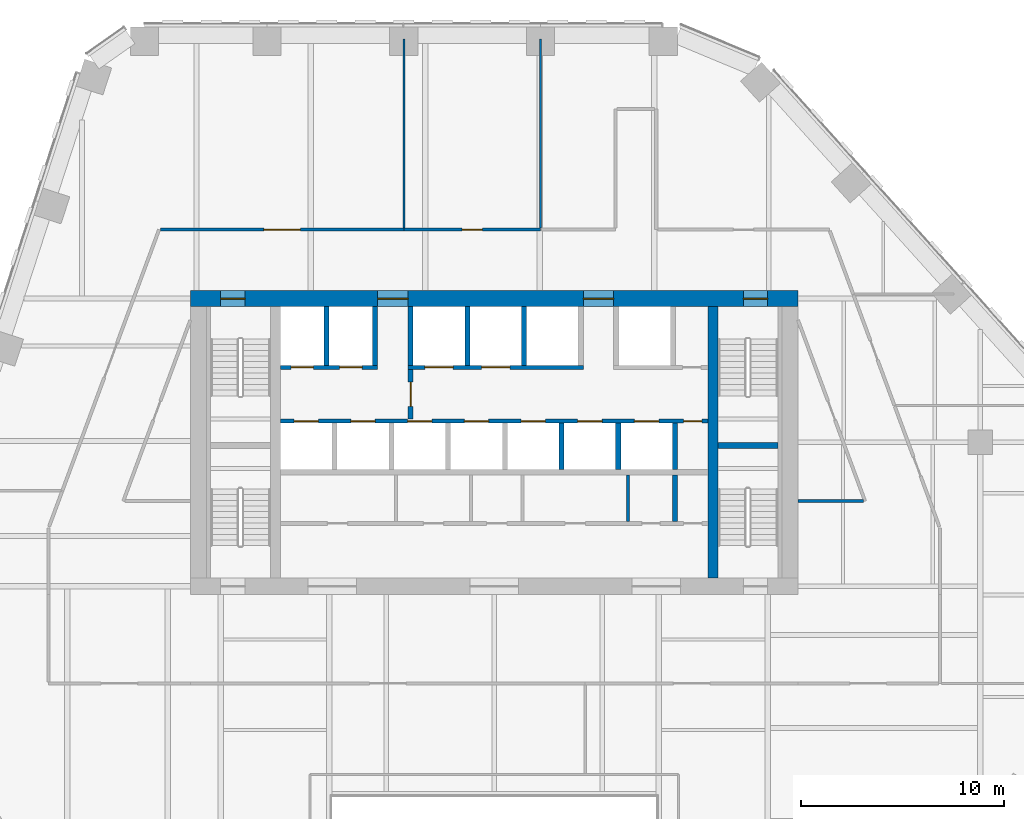
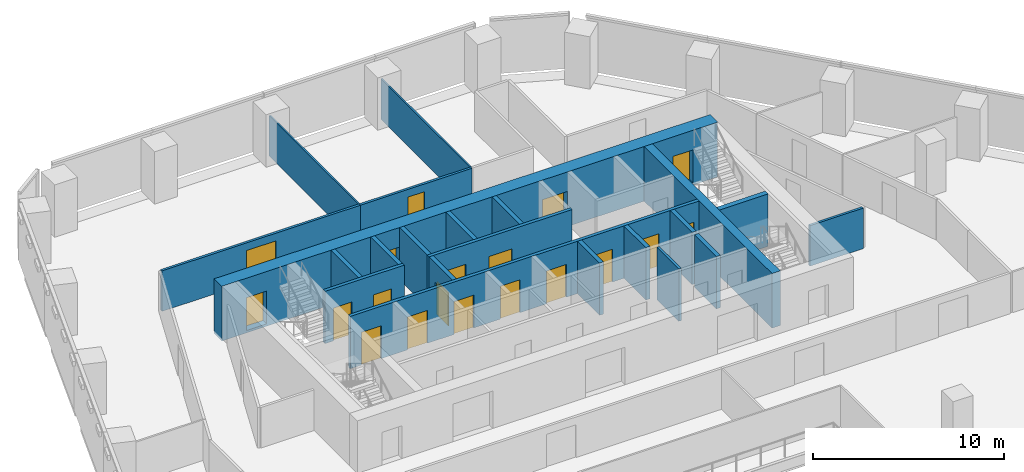
# One storey, part 12 of 17: 22 walls, 19 doors, 19 openings.
"""IFC4 building model written with IfcOpenShell, lengths in metres."""

from ifc_helpers import new_model, si_unit, direction, frame, frame_2d, origin, place, context, subcontext, project, spatial, rectangle, extrude, material, layer, layer_set, type_object, element, fill, save


model = new_model("IFC4")

# Units and contexts
model_context = context("Model", 3, precision=1e-05, world=origin(), true_north=direction((0.0, 1.0)))
body_context = subcontext(model_context, "Body", "Model", "MODEL_VIEW")
ifc_project = project(units=[si_unit("LENGTHUNIT", "METRE"), si_unit("AREAUNIT", "SQUARE_METRE"), si_unit("VOLUMEUNIT", "CUBIC_METRE"), si_unit("PLANEANGLEUNIT", "RADIAN"), si_unit("MASSUNIT", "GRAM", prefix="KILO")], contexts=[model_context])

# Site, building, storey
site_placement = place(None, origin())
site = spatial("IfcSite", under=ifc_project, at=site_placement, CompositionType="ELEMENT")
building_placement = place(site_placement, origin())
building = spatial("IfcBuilding", under=site, at=building_placement, Name="Isthmus Gate Tower", CompositionType="ELEMENT")
storey_placement = place(building_placement, frame((0.0, 0.0, 162.64990234375)))
storey = spatial("IfcBuildingStorey", under=building, at=storey_placement, Name="L40", CompositionType="ELEMENT", Elevation=162.64990234375)

# Wall, opening, door
ifc_material_1 = material(Name="Gypsum board on steel studs, fire-rated", Category="steel")
ifc_layer_1 = layer(ifc_material_1, 0.14990234375)
ifc_layer_set_1 = layer_set([ifc_layer_1], Name="CORRIDOR WALL 150 60 MIN")
wall_type_1 = type_object("IfcWallType", Name="CORRIDOR WALL 150 60 MIN", PredefinedType="PARTITIONING", material=ifc_layer_set_1)
wall_1_placement = place(storey_placement, frame((-4.4619140625, 18.0, 0.0), z_axis=(0.0, 0.0, 1.0), x_axis=(1.0, 0.0, 0.0)))
wall_1 = element("IfcWall", 1, at=wall_1_placement, inside=storey, type_object=wall_type_1, Name="L40 Corridor Wall 150 60 Min", PredefinedType="PARTITIONING", context=body_context, shape_type="SweptSolid", body=[
    extrude(rectangle(XDim=6.75, YDim=0.14990234375, at=frame_2d((3.375, 0.0))), origin(), (0.0, 0.0, 1.0), 2.59130859375),
])
opening_1_placement = place(wall_1_placement, frame((2.875, 0.0, 0.0)))
opening_1 = element("IfcOpeningElement", 2, at=opening_1_placement, cuts=wall_1, Name="Opening DT-T3D-01", PredefinedType="OPENING", context=body_context, shape_type="SweptSolid", body=[
    extrude(rectangle(XDim=1.0, YDim=2.10009765625, at=frame_2d((0.5, 1.050048828125))), frame((0.0, 0.0849609375, 0.0), z_axis=(0.0, -1.0, 0.0), x_axis=(1.0, 0.0, 0.0)), (0.0, 0.0, 1.0), 0.169921875),
])
ifc_material_2 = material(Name="Solid core timber door leaf, fire-rated", Category="wood")
door_type_1 = type_object("IfcDoorType", Name="FIRE DOOR ROOM 1000 X 2100 60 MIN", OperationType="SINGLE_SWING_LEFT", PredefinedType="DOOR", material=ifc_material_2)
door_1_placement = place(opening_1_placement, origin())
door_1 = element("IfcDoor", 3, at=door_1_placement, inside=storey, type_object=door_type_1, Name="L40 room door", OperationType="SINGLE_SWING_RIGHT", OverallHeight=2.10009765625, OverallWidth=1.0, PredefinedType="DOOR", context=body_context, shape_type="SweptSolid", body=[
    extrude(rectangle(XDim=1.0, YDim=2.10009765625, at=frame_2d((0.5, 1.050048828125))), frame((0.0, 0.02490234375, 0.0), z_axis=(0.0, -1.0, 0.0), x_axis=(1.0, 0.0, 0.0)), (0.0, 0.0, 1.0), 0.050048828125),
])
fill(opening_1, door_1)

wall_2_placement = place(storey_placement, frame((-16.468994140625, 18.0, 0.0), z_axis=(0.0, 0.0, 1.0), x_axis=(1.0, 0.0, 0.0)))
wall_2 = element("IfcWall", 4, at=wall_2_placement, inside=storey, type_object=wall_type_1, Name="L40 Corridor Wall 150 60 Min", PredefinedType="PARTITIONING", context=body_context, shape_type="SweptSolid", body=[
    extrude(rectangle(XDim=12.007080078125, YDim=0.14990234375, at=frame_2d((6.00341796875, 0.0))), origin(), (0.0, 0.0, 1.0), 2.59130859375),
])
opening_2_placement = place(wall_2_placement, frame((5.103515625, 0.0, 0.0)))
opening_2 = element("IfcOpeningElement", 5, at=opening_2_placement, cuts=wall_2, Name="Opening DT-T3D-04", PredefinedType="OPENING", context=body_context, shape_type="SweptSolid", body=[
    extrude(rectangle(XDim=1.800048828125, YDim=2.10009765625, at=frame_2d((0.89990234375, 1.050048828125))), frame((0.0, 0.0849609375, 0.0), z_axis=(0.0, -1.0, 0.0), x_axis=(1.0, 0.0, 0.0)), (0.0, 0.0, 1.0), 0.169921875),
])
ifc_material_3 = material(Name="Solid core timber door leaf, fire-rated", Category="wood")
door_type_2 = type_object("IfcDoorType", Name="FIRE DOOR ROOM 1800 X 2100 60 MIN", OperationType="DOUBLE_DOOR_DOUBLE_SWING", PredefinedType="DOOR", material=ifc_material_3)
door_2_placement = place(opening_2_placement, origin())
door_2 = element("IfcDoor", 6, at=door_2_placement, inside=storey, type_object=door_type_2, Name="L40 room door", OperationType="DOUBLE_DOOR_DOUBLE_SWING", OverallHeight=2.10009765625, OverallWidth=1.800048828125, PredefinedType="DOOR", context=body_context, shape_type="SweptSolid", body=[
    extrude(rectangle(XDim=1.800048828125, YDim=2.10009765625, at=frame_2d((0.89990234375, 1.050048828125))), frame((0.0, 0.02490234375, 0.0), z_axis=(0.0, -1.0, 0.0), x_axis=(1.0, 0.0, 0.0)), (0.0, 0.0, 1.0), 0.050048828125),
])
fill(opening_2, door_2)

# Wall
wall_3_placement = place(storey_placement, frame((15.0, 4.60009765625, 0.0), z_axis=(0.0, 0.0, 1.0), x_axis=(1.0, 0.0, 0.0)))
element("IfcWall", 7, at=wall_3_placement, inside=storey, type_object=wall_type_1, Name="L40 Corridor Wall 150 60 Min", PredefinedType="PARTITIONING", context=body_context, shape_type="SweptSolid", body=[
    extrude(rectangle(XDim=3.22802734375, YDim=0.14990234375, at=frame_2d((1.614013671875, 0.0))), origin(), (0.0, 0.0, 1.0), 2.59130859375),
])

# Wall, opening, door
ifc_material_4 = material(Name="Fire-rated blockwork masonry, 15 MPa", Category="masonry")
ifc_layer_2 = layer(ifc_material_4, 0.25)
ifc_layer_set_2 = layer_set([ifc_layer_2], Name="FIRE-FIGHTING LOBBY WALL 250 90 MIN")
wall_type_2 = type_object("IfcWallType", Name="FIRE-FIGHTING LOBBY WALL 250 90 MIN", PredefinedType="PARTITIONING", material=ifc_layer_set_2)
wall_4_placement = place(storey_placement, frame((-4.125, 8.64990234375, 0.0), z_axis=(0.0, 0.0, 1.0), x_axis=(0.0, 1.0, 0.0)))
wall_4 = element("IfcWall", 8, at=wall_4_placement, inside=storey, type_object=wall_type_2, Name="L40 FIRE-FIGHTING LOBBY WALL 250 90 MIN", PredefinedType="PARTITIONING", context=body_context, shape_type="SweptSolid", body=[
    extrude(rectangle(XDim=2.4501953125, YDim=0.25, at=frame_2d((1.22509765625, 0.0))), origin(), (0.0, 0.0, 1.0), 3.35009765625),
])
opening_3_placement = place(wall_4_placement, frame((0.625, 0.0, 0.0)))
opening_3 = element("IfcOpeningElement", 9, at=opening_3_placement, cuts=wall_4, Name="Opening DC-A11-01", PredefinedType="OPENING", context=body_context, shape_type="SweptSolid", body=[
    extrude(rectangle(XDim=1.199951171875, YDim=2.10009765625, at=frame_2d((0.60009765625, 1.050048828125))), frame((0.0, 0.135009765625, 0.0), z_axis=(0.0, -1.0, 0.0), x_axis=(1.0, 0.0, 0.0)), (0.0, 0.0, 1.0), 0.27001953125),
])
ifc_material_5 = material(Name="Steel door leaf, fire-rated", Category="steel")
door_type_3 = type_object("IfcDoorType", Name="LOBBY FIRE DOOR 1200 X 2100 90 MIN", OperationType="DOUBLE_DOOR_SINGLE_SWING", PredefinedType="DOOR", material=ifc_material_5)
door_3_placement = place(opening_3_placement, origin())
door_3 = element("IfcDoor", 10, at=door_3_placement, inside=storey, type_object=door_type_3, Name="Fire-fighting Lobby Door", OperationType="SINGLE_SWING_LEFT", OverallHeight=2.10009765625, OverallWidth=1.199951171875, PredefinedType="DOOR", context=body_context, shape_type="SweptSolid", body=[
    extrude(rectangle(XDim=1.199951171875, YDim=2.10009765625, at=frame_2d((0.60009765625, 1.050048828125))), frame((0.0, 0.02490234375, 0.0), z_axis=(0.0, -1.0, 0.0), x_axis=(1.0, 0.0, 0.0)), (0.0, 0.0, 1.0), 0.050048828125),
])
fill(opening_3, door_3)

# Wall
ifc_material_6 = material(Name="Concrete f'c 60 MPa", Category="concrete")
ifc_layer_3 = layer(ifc_material_6, 0.5)
ifc_layer_set_3 = layer_set([ifc_layer_3], Name="RC CORE SPINE WALL 500 F'C 60")
wall_type_3 = type_object("IfcWallType", Name="RC CORE SPINE WALL 500 F'C 60", PredefinedType="SOLIDWALL", material=ifc_layer_set_3)
wall_5_placement = place(storey_placement, frame((10.800048828125, 0.800048828125, -0.14990234375), z_axis=(0.0, 0.0, 1.0), x_axis=(0.0, 1.0, 0.0)))
element("IfcWall", 11, at=wall_5_placement, inside=storey, type_object=wall_type_3, Name="str-corewall-L40-SPE", PredefinedType="SOLIDWALL", context=body_context, shape_type="SweptSolid", body=[
    extrude(rectangle(XDim=13.39990234375, YDim=0.5, at=frame_2d((6.699951171875, 0.0))), origin(), (0.0, 0.0, 1.0), 3.5),
])

# Wall, openings, doors
ifc_material_7 = material(Name="Concrete f'c 60 MPa", Category="concrete")
ifc_layer_4 = layer(ifc_material_7, 0.800048828125)
ifc_layer_set_4 = layer_set([ifc_layer_4], Name="RC CORE WALL 800 F'C 60")
wall_type_4 = type_object("IfcWallType", Name="RC CORE WALL 800 F'C 60", PredefinedType="SOLIDWALL", material=ifc_layer_set_4)
wall_6_placement = place(storey_placement, frame((-15.0, 14.60009765625, -0.14990234375), z_axis=(0.0, 0.0, 1.0), x_axis=(1.0, 0.0, 0.0)))
wall_6 = element("IfcWall", 12, at=wall_6_placement, inside=storey, type_object=wall_type_4, Name="str-corewall-L40-N", PredefinedType="SOLIDWALL", context=body_context, shape_type="SweptSolid", body=[
    extrude(rectangle(XDim=30.0, YDim=0.800048828125, at=frame_2d((15.0, 0.0))), origin(), (0.0, 0.0, 1.0), 3.5),
])
opening_4_placement = place(wall_6_placement, frame((9.25, 0.0, 0.14990234375)))
opening_4 = element("IfcOpeningElement", 13, at=opening_4_placement, cuts=wall_6, Name="Opening DC-A11-13", PredefinedType="OPENING", context=body_context, shape_type="SweptSolid", body=[
    extrude(rectangle(XDim=1.5, YDim=2.10009765625, at=frame_2d((0.75, 1.050048828125))), frame((0.0, 0.409912109375, 0.0), z_axis=(0.0, -1.0, 0.0), x_axis=(1.0, 0.0, 0.0)), (0.0, 0.0, 1.0), 0.820068359375),
])
opening_5_placement = place(wall_6_placement, frame((19.39990234375, 0.0, 0.14990234375)))
opening_5 = element("IfcOpeningElement", 14, at=opening_5_placement, cuts=wall_6, Name="Opening DC-A11-14", PredefinedType="OPENING", context=body_context, shape_type="SweptSolid", body=[
    extrude(rectangle(XDim=1.5, YDim=2.10009765625, at=frame_2d((0.75, 1.050048828125))), frame((0.0, 0.409912109375, 0.0), z_axis=(0.0, -1.0, 0.0), x_axis=(1.0, 0.0, 0.0)), (0.0, 0.0, 1.0), 0.820068359375),
])
opening_6_placement = place(wall_6_placement, frame((1.5, 0.0, 0.14990234375)))
opening_6 = element("IfcOpeningElement", 15, at=opening_6_placement, cuts=wall_6, Name="Opening DC-A11-15", PredefinedType="OPENING", context=body_context, shape_type="SweptSolid", body=[
    extrude(rectangle(XDim=1.199951171875, YDim=2.10009765625, at=frame_2d((0.60009765625, 1.050048828125))), frame((0.0, 0.409912109375, 0.0), z_axis=(0.0, -1.0, 0.0), x_axis=(1.0, 0.0, 0.0)), (0.0, 0.0, 1.0), 0.820068359375),
])
opening_7_placement = place(wall_6_placement, frame((27.300048828125, 0.0, 0.14990234375)))
opening_7 = element("IfcOpeningElement", 16, at=opening_7_placement, cuts=wall_6, Name="Opening DC-A11-16", PredefinedType="OPENING", context=body_context, shape_type="SweptSolid", body=[
    extrude(rectangle(XDim=1.199951171875, YDim=2.10009765625, at=frame_2d((0.60009765625, 1.050048828125))), frame((0.0, 0.409912109375, 0.0), z_axis=(0.0, -1.0, 0.0), x_axis=(1.0, 0.0, 0.0)), (0.0, 0.0, 1.0), 0.820068359375),
])
ifc_material_8 = material(Name="Steel door leaf, fire-rated", Category="steel")
door_type_4 = type_object("IfcDoorType", Name="LOBBY FIRE DOOR 1500 X 2100 60 MIN", OperationType="DOUBLE_DOOR_SINGLE_SWING", PredefinedType="DOOR", material=ifc_material_8)
door_4_placement = place(opening_5_placement, origin())
door_4 = element("IfcDoor", 17, at=door_4_placement, inside=storey, type_object=door_type_4, Name="Lobby Door PN-E", OperationType="DOUBLE_DOOR_SINGLE_SWING", OverallHeight=2.10009765625, OverallWidth=1.5, PredefinedType="DOOR", context=body_context, shape_type="SweptSolid", body=[
    extrude(rectangle(XDim=1.5, YDim=2.10009765625, at=frame_2d((0.75, 1.050048828125))), frame((0.0, 0.02490234375, 0.0), z_axis=(0.0, -1.0, 0.0), x_axis=(1.0, 0.0, 0.0)), (0.0, 0.0, 1.0), 0.050048828125),
])
fill(opening_5, door_4)
ifc_material_9 = material(Name="Steel door leaf, fire-rated", Category="steel")
door_type_5 = type_object("IfcDoorType", Name="LOBBY FIRE DOOR 1500 X 2100 90 MIN", OperationType="DOUBLE_DOOR_SINGLE_SWING", PredefinedType="DOOR", material=ifc_material_9)
door_5_placement = place(opening_4_placement, origin())
door_5 = element("IfcDoor", 18, at=door_5_placement, inside=storey, type_object=door_type_5, Name="Lobby Door PN-W", OperationType="DOUBLE_DOOR_SINGLE_SWING", OverallHeight=2.10009765625, OverallWidth=1.5, PredefinedType="DOOR", context=body_context, shape_type="SweptSolid", body=[
    extrude(rectangle(XDim=1.5, YDim=2.10009765625, at=frame_2d((0.75, 1.050048828125))), frame((0.0, 0.02490234375, 0.0), z_axis=(0.0, -1.0, 0.0), x_axis=(1.0, 0.0, 0.0)), (0.0, 0.0, 1.0), 0.050048828125),
])
fill(opening_4, door_5)
ifc_material_10 = material(Name="Steel door leaf, fire-rated", Category="steel")
door_type_6 = type_object("IfcDoorType", Name="STAIR FIRE DOOR 1200 X 2100 90 MIN", OperationType="SINGLE_SWING_LEFT", PredefinedType="DOOR", material=ifc_material_10)
door_6_placement = place(opening_6_placement, origin())
door_6 = element("IfcDoor", 19, at=door_6_placement, inside=storey, type_object=door_type_6, Name="Exit Stair 1 Door", OperationType="SINGLE_SWING_RIGHT", OverallHeight=2.10009765625, OverallWidth=1.199951171875, PredefinedType="DOOR", context=body_context, shape_type="SweptSolid", body=[
    extrude(rectangle(XDim=1.199951171875, YDim=2.10009765625, at=frame_2d((0.60009765625, 1.050048828125))), frame((0.0, 0.02490234375, 0.0), z_axis=(0.0, -1.0, 0.0), x_axis=(1.0, 0.0, 0.0)), (0.0, 0.0, 1.0), 0.050048828125),
])
fill(opening_6, door_6)
door_7_placement = place(opening_7_placement, origin())
door_7 = element("IfcDoor", 20, at=door_7_placement, inside=storey, type_object=door_type_6, Name="Exit Stair 2 Door", OperationType="SINGLE_SWING_LEFT", OverallHeight=2.10009765625, OverallWidth=1.199951171875, PredefinedType="DOOR", context=body_context, shape_type="SweptSolid", body=[
    extrude(rectangle(XDim=1.199951171875, YDim=2.10009765625, at=frame_2d((0.60009765625, 1.050048828125))), frame((0.0, 0.02490234375, 0.0), z_axis=(0.0, -1.0, 0.0), x_axis=(1.0, 0.0, 0.0)), (0.0, 0.0, 1.0), 0.050048828125),
])
fill(opening_7, door_7)

# Walls
ifc_material_11 = material(Name="Gypsum board on steel studs, fire-rated", Category="steel")
ifc_layer_5 = layer(ifc_material_11, 0.10009765625)
ifc_layer_set_5 = layer_set([ifc_layer_5], Name="ROOM PARTITION 100 30 MIN")
wall_type_5 = type_object("IfcWallType", Name="ROOM PARTITION 100 30 MIN", PredefinedType="PARTITIONING", material=ifc_layer_set_5)
for number, where, z_axis, x_axis, name in (
    (21, (2.2880859375, 18.074951171875, 0.0), (0.0, 0.0, 1.0), (0.0, 1.0, 0.0), "L40 Room Partition 100 30 Min"),
    (22, (-4.4619140625, 18.074951171875, 0.0), (0.0, 0.0, 1.0), (0.0, 1.0, 0.0), "L40 Room Partition 100 30 Min"),
):
    element("IfcWall", number, at=place(storey_placement, frame(where, z_axis=z_axis, x_axis=x_axis)), inside=storey, type_object=wall_type_5, Name=name, PredefinedType="PARTITIONING", context=body_context, shape_type="SweptSolid", body=[
        extrude(rectangle(XDim=9.324951171875, YDim=0.10009765625, at=frame_2d((4.66259765625, 0.0))), origin(), (0.0, 0.0, 1.0), 2.59130859375),
    ])
ifc_material_12 = material(Name="Gypsum board on steel studs, fire-rated", Category="steel")
ifc_layer_6 = layer(ifc_material_12, 0.14990234375)
ifc_layer_set_6 = layer_set([ifc_layer_6], Name="ROOM PARTITION 150 60 MIN")
wall_type_6 = type_object("IfcWallType", Name="ROOM PARTITION 150 60 MIN", PredefinedType="PARTITIONING", material=ifc_layer_set_6)
wall_7_placement = place(storey_placement, frame((6.60009765625, 3.60009765625, 0.0), z_axis=(0.0, 0.0, 1.0), x_axis=(0.0, 1.0, 0.0)))
element("IfcWall", 23, at=wall_7_placement, inside=storey, type_object=wall_type_6, Name="L40 ROOM PARTITION 150 60 MIN", PredefinedType="PARTITIONING", context=body_context, shape_type="SweptSolid", body=[
    extrude(rectangle(XDim=2.2998046875, YDim=0.14990234375, at=frame_2d((1.14990234375, 0.0))), origin(), (0.0, 0.0, 1.0), 3.35009765625),
])

# Wall, openings, doors
ifc_material_13 = material(Name="Fire-rated blockwork masonry, 15 MPa", Category="masonry")
ifc_layer_7 = layer(ifc_material_13, 0.199951171875)
ifc_layer_set_7 = layer_set([ifc_layer_7], Name="SHAFT FRONT WALL 200 120 MIN")
wall_type_7 = type_object("IfcWallType", Name="SHAFT FRONT WALL 200 120 MIN", PredefinedType="PARTITIONING", material=ifc_layer_set_7)
wall_8_placement = place(storey_placement, frame((-10.550048828125, 8.550048828125, 0.0), z_axis=(0.0, 0.0, 1.0), x_axis=(1.0, 0.0, 0.0)))
wall_8 = element("IfcWall", 24, at=wall_8_placement, inside=storey, type_object=wall_type_7, Name="L40 SHAFT FRONT WALL 200 120 MIN", PredefinedType="PARTITIONING", context=body_context, shape_type="SweptSolid", body=[
    extrude(rectangle(XDim=21.10009765625, YDim=0.199951171875, at=frame_2d((10.550048828125, 0.0))), origin(), (0.0, 0.0, 1.0), 3.35009765625),
])
opening_8_placement = place(wall_8_placement, frame((0.675048828125, 0.0, 0.0)))
opening_8 = element("IfcOpeningElement", 25, at=opening_8_placement, cuts=wall_8, Name="Opening LD-LB1", PredefinedType="OPENING", context=body_context, shape_type="SweptSolid", body=[
    extrude(rectangle(XDim=1.199951171875, YDim=2.10009765625, at=frame_2d((0.60009765625, 1.050048828125))), frame((0.0, 0.10986328125, 0.0), z_axis=(0.0, -1.0, 0.0), x_axis=(1.0, 0.0, 0.0)), (0.0, 0.0, 1.0), 0.219970703125),
])
opening_9_placement = place(wall_8_placement, frame((3.47509765625, 0.0, 0.0)))
opening_9 = element("IfcOpeningElement", 26, at=opening_9_placement, cuts=wall_8, Name="Opening LD-LB2", PredefinedType="OPENING", context=body_context, shape_type="SweptSolid", body=[
    extrude(rectangle(XDim=1.199951171875, YDim=2.10009765625, at=frame_2d((0.60009765625, 1.050048828125))), frame((0.0, 0.10986328125, 0.0), z_axis=(0.0, -1.0, 0.0), x_axis=(1.0, 0.0, 0.0)), (0.0, 0.0, 1.0), 0.219970703125),
])
opening_10_placement = place(wall_8_placement, frame((6.27490234375, 0.0, 0.0)))
opening_10 = element("IfcOpeningElement", 27, at=opening_10_placement, cuts=wall_8, Name="Opening LD-LB3", PredefinedType="OPENING", context=body_context, shape_type="SweptSolid", body=[
    extrude(rectangle(XDim=1.199951171875, YDim=2.10009765625, at=frame_2d((0.60009765625, 1.050048828125))), frame((0.0, 0.10986328125, 0.0), z_axis=(0.0, -1.0, 0.0), x_axis=(1.0, 0.0, 0.0)), (0.0, 0.0, 1.0), 0.219970703125),
])
opening_11_placement = place(wall_8_placement, frame((9.074951171875, 0.0, 0.0)))
opening_11 = element("IfcOpeningElement", 28, at=opening_11_placement, cuts=wall_8, Name="Opening LD-LB4", PredefinedType="OPENING", context=body_context, shape_type="SweptSolid", body=[
    extrude(rectangle(XDim=1.199951171875, YDim=2.10009765625, at=frame_2d((0.60009765625, 1.050048828125))), frame((0.0, 0.10986328125, 0.0), z_axis=(0.0, -1.0, 0.0), x_axis=(1.0, 0.0, 0.0)), (0.0, 0.0, 1.0), 0.219970703125),
])
opening_12_placement = place(wall_8_placement, frame((11.875, 0.0, 0.0)))
opening_12 = element("IfcOpeningElement", 29, at=opening_12_placement, cuts=wall_8, Name="Opening LD-LB5", PredefinedType="OPENING", context=body_context, shape_type="SweptSolid", body=[
    extrude(rectangle(XDim=1.199951171875, YDim=2.10009765625, at=frame_2d((0.60009765625, 1.050048828125))), frame((0.0, 0.10986328125, 0.0), z_axis=(0.0, -1.0, 0.0), x_axis=(1.0, 0.0, 0.0)), (0.0, 0.0, 1.0), 0.219970703125),
])
opening_13_placement = place(wall_8_placement, frame((14.675048828125, 0.0, 0.0)))
opening_13 = element("IfcOpeningElement", 30, at=opening_13_placement, cuts=wall_8, Name="Opening LD-LB6", PredefinedType="OPENING", context=body_context, shape_type="SweptSolid", body=[
    extrude(rectangle(XDim=1.199951171875, YDim=2.10009765625, at=frame_2d((0.60009765625, 1.050048828125))), frame((0.0, 0.10986328125, 0.0), z_axis=(0.0, -1.0, 0.0), x_axis=(1.0, 0.0, 0.0)), (0.0, 0.0, 1.0), 0.219970703125),
])
opening_14_placement = place(wall_8_placement, frame((17.47509765625, 0.0, 0.0)))
opening_14 = element("IfcOpeningElement", 31, at=opening_14_placement, cuts=wall_8, Name="Opening LD-LB7", PredefinedType="OPENING", context=body_context, shape_type="SweptSolid", body=[
    extrude(rectangle(XDim=1.199951171875, YDim=2.10009765625, at=frame_2d((0.60009765625, 1.050048828125))), frame((0.0, 0.10986328125, 0.0), z_axis=(0.0, -1.0, 0.0), x_axis=(1.0, 0.0, 0.0)), (0.0, 0.0, 1.0), 0.219970703125),
])
opening_15_placement = place(wall_8_placement, frame((19.89990234375, 0.0, 0.0)))
opening_15 = element("IfcOpeningElement", 32, at=opening_15_placement, cuts=wall_8, Name="Opening DC-A11-08", PredefinedType="OPENING", context=body_context, shape_type="SweptSolid", body=[
    extrude(rectangle(XDim=0.89990234375, YDim=2.10009765625, at=frame_2d((0.449951171875, 1.050048828125))), frame((0.0, 0.10986328125, 0.0), z_axis=(0.0, -1.0, 0.0), x_axis=(1.0, 0.0, 0.0)), (0.0, 0.0, 1.0), 0.219970703125),
])
ifc_material_14 = material(Name="Stainless steel sliding leaf", Category="steel")
door_type_7 = type_object("IfcDoorType", Name="LIFT LANDING FIRE DOOR 1200 X 2100 90 MIN", OperationType="DOUBLE_DOOR_SLIDING", PredefinedType="DOOR", material=ifc_material_14)
door_8_placement = place(opening_8_placement, origin())
door_8 = element("IfcDoor", 33, at=door_8_placement, inside=storey, type_object=door_type_7, Name="Lift Landing Door LB1", OperationType="DOUBLE_DOOR_SLIDING", OverallHeight=2.10009765625, OverallWidth=1.199951171875, PredefinedType="DOOR", context=body_context, shape_type="SweptSolid", body=[
    extrude(rectangle(XDim=1.199951171875, YDim=2.10009765625, at=frame_2d((0.60009765625, 1.050048828125))), frame((0.0, 0.02490234375, 0.0), z_axis=(0.0, -1.0, 0.0), x_axis=(1.0, 0.0, 0.0)), (0.0, 0.0, 1.0), 0.050048828125),
])
fill(opening_8, door_8)
door_9_placement = place(opening_9_placement, origin())
door_9 = element("IfcDoor", 34, at=door_9_placement, inside=storey, type_object=door_type_7, Name="Lift Landing Door LB2", OperationType="DOUBLE_DOOR_SLIDING", OverallHeight=2.10009765625, OverallWidth=1.199951171875, PredefinedType="DOOR", context=body_context, shape_type="SweptSolid", body=[
    extrude(rectangle(XDim=1.199951171875, YDim=2.10009765625, at=frame_2d((0.60009765625, 1.050048828125))), frame((0.0, 0.02490234375, 0.0), z_axis=(0.0, -1.0, 0.0), x_axis=(1.0, 0.0, 0.0)), (0.0, 0.0, 1.0), 0.050048828125),
])
fill(opening_9, door_9)
door_10_placement = place(opening_10_placement, origin())
door_10 = element("IfcDoor", 35, at=door_10_placement, inside=storey, type_object=door_type_7, Name="Lift Landing Door LB3", OperationType="DOUBLE_DOOR_SLIDING", OverallHeight=2.10009765625, OverallWidth=1.199951171875, PredefinedType="DOOR", context=body_context, shape_type="SweptSolid", body=[
    extrude(rectangle(XDim=1.199951171875, YDim=2.10009765625, at=frame_2d((0.60009765625, 1.050048828125))), frame((0.0, 0.02490234375, 0.0), z_axis=(0.0, -1.0, 0.0), x_axis=(1.0, 0.0, 0.0)), (0.0, 0.0, 1.0), 0.050048828125),
])
fill(opening_10, door_10)
door_11_placement = place(opening_11_placement, origin())
door_11 = element("IfcDoor", 36, at=door_11_placement, inside=storey, type_object=door_type_7, Name="Lift Landing Door LB4", OperationType="DOUBLE_DOOR_SLIDING", OverallHeight=2.10009765625, OverallWidth=1.199951171875, PredefinedType="DOOR", context=body_context, shape_type="SweptSolid", body=[
    extrude(rectangle(XDim=1.199951171875, YDim=2.10009765625, at=frame_2d((0.60009765625, 1.050048828125))), frame((0.0, 0.02490234375, 0.0), z_axis=(0.0, -1.0, 0.0), x_axis=(1.0, 0.0, 0.0)), (0.0, 0.0, 1.0), 0.050048828125),
])
fill(opening_11, door_11)
door_12_placement = place(opening_12_placement, origin())
door_12 = element("IfcDoor", 37, at=door_12_placement, inside=storey, type_object=door_type_7, Name="Lift Landing Door LB5", OperationType="DOUBLE_DOOR_SLIDING", OverallHeight=2.10009765625, OverallWidth=1.199951171875, PredefinedType="DOOR", context=body_context, shape_type="SweptSolid", body=[
    extrude(rectangle(XDim=1.199951171875, YDim=2.10009765625, at=frame_2d((0.60009765625, 1.050048828125))), frame((0.0, 0.02490234375, 0.0), z_axis=(0.0, -1.0, 0.0), x_axis=(1.0, 0.0, 0.0)), (0.0, 0.0, 1.0), 0.050048828125),
])
fill(opening_12, door_12)
door_13_placement = place(opening_13_placement, origin())
door_13 = element("IfcDoor", 38, at=door_13_placement, inside=storey, type_object=door_type_7, Name="Lift Landing Door LB6", OperationType="DOUBLE_DOOR_SLIDING", OverallHeight=2.10009765625, OverallWidth=1.199951171875, PredefinedType="DOOR", context=body_context, shape_type="SweptSolid", body=[
    extrude(rectangle(XDim=1.199951171875, YDim=2.10009765625, at=frame_2d((0.60009765625, 1.050048828125))), frame((0.0, 0.02490234375, 0.0), z_axis=(0.0, -1.0, 0.0), x_axis=(1.0, 0.0, 0.0)), (0.0, 0.0, 1.0), 0.050048828125),
])
fill(opening_13, door_13)
door_14_placement = place(opening_14_placement, origin())
door_14 = element("IfcDoor", 39, at=door_14_placement, inside=storey, type_object=door_type_7, Name="Lift Landing Door LB7", OperationType="DOUBLE_DOOR_SLIDING", OverallHeight=2.10009765625, OverallWidth=1.199951171875, PredefinedType="DOOR", context=body_context, shape_type="SweptSolid", body=[
    extrude(rectangle(XDim=1.199951171875, YDim=2.10009765625, at=frame_2d((0.60009765625, 1.050048828125))), frame((0.0, 0.02490234375, 0.0), z_axis=(0.0, -1.0, 0.0), x_axis=(1.0, 0.0, 0.0)), (0.0, 0.0, 1.0), 0.050048828125),
])
fill(opening_14, door_14)
ifc_material_15 = material(Name="Steel door leaf, fire-rated", Category="steel")
door_type_8 = type_object("IfcDoorType", Name="RISER FIRE DOOR 900 X 2100 90 MIN", OperationType="SINGLE_SWING_LEFT", PredefinedType="DOOR", material=ifc_material_15)
door_15_placement = place(opening_15_placement, origin())
door_15 = element("IfcDoor", 40, at=door_15_placement, inside=storey, type_object=door_type_8, Name="Riser Door", OperationType="SINGLE_SWING_RIGHT", OverallHeight=2.10009765625, OverallWidth=0.89990234375, PredefinedType="DOOR", context=body_context, shape_type="SweptSolid", body=[
    extrude(rectangle(XDim=0.89990234375, YDim=2.10009765625, at=frame_2d((0.449951171875, 1.050048828125))), frame((0.0, 0.02490234375, 0.0), z_axis=(0.0, -1.0, 0.0), x_axis=(1.0, 0.0, 0.0)), (0.0, 0.0, 1.0), 0.050048828125),
])
fill(opening_15, door_15)

wall_9_placement = place(storey_placement, frame((-10.550048828125, 11.199951171875, 0.0), z_axis=(0.0, 0.0, 1.0), x_axis=(1.0, 0.0, 0.0)))
wall_9 = element("IfcWall", 41, at=wall_9_placement, inside=storey, type_object=wall_type_7, Name="L40 SHAFT FRONT WALL 200 120 MIN", PredefinedType="PARTITIONING", context=body_context, shape_type="SweptSolid", body=[
    extrude(rectangle(XDim=4.800048828125, YDim=0.199951171875, at=frame_2d((2.39990234375, 0.0))), origin(), (0.0, 0.0, 1.0), 3.35009765625),
])
opening_16_placement = place(wall_9_placement, frame((0.52490234375, 0.0, 0.0)))
opening_16 = element("IfcOpeningElement", 42, at=opening_16_placement, cuts=wall_9, Name="Opening LD-LF1", PredefinedType="OPENING", context=body_context, shape_type="SweptSolid", body=[
    extrude(rectangle(XDim=1.10009765625, YDim=2.10009765625, at=frame_2d((0.550048828125, 1.050048828125))), frame((0.0, 0.10986328125, 0.0), z_axis=(0.0, -1.0, 0.0), x_axis=(1.0, 0.0, 0.0)), (0.0, 0.0, 1.0), 0.219970703125),
])
opening_17_placement = place(wall_9_placement, frame((2.925048828125, 0.0, 0.0)))
opening_17 = element("IfcOpeningElement", 43, at=opening_17_placement, cuts=wall_9, Name="Opening LD-LF2", PredefinedType="OPENING", context=body_context, shape_type="SweptSolid", body=[
    extrude(rectangle(XDim=1.10009765625, YDim=2.10009765625, at=frame_2d((0.550048828125, 1.050048828125))), frame((0.0, 0.10986328125, 0.0), z_axis=(0.0, -1.0, 0.0), x_axis=(1.0, 0.0, 0.0)), (0.0, 0.0, 1.0), 0.219970703125),
])
ifc_material_16 = material(Name="Stainless steel sliding leaf", Category="steel")
door_type_9 = type_object("IfcDoorType", Name="LIFT LANDING FIRE DOOR 1100 X 2100 90 MIN", OperationType="DOUBLE_DOOR_SLIDING", PredefinedType="DOOR", material=ifc_material_16)
door_16_placement = place(opening_16_placement, origin())
door_16 = element("IfcDoor", 44, at=door_16_placement, inside=storey, type_object=door_type_9, Name="Lift Landing Door LF1", OperationType="DOUBLE_DOOR_SLIDING", OverallHeight=2.10009765625, OverallWidth=1.10009765625, PredefinedType="DOOR", context=body_context, shape_type="SweptSolid", body=[
    extrude(rectangle(XDim=1.10009765625, YDim=2.10009765625, at=frame_2d((0.550048828125, 1.050048828125))), frame((0.0, 0.02490234375, 0.0), z_axis=(0.0, -1.0, 0.0), x_axis=(1.0, 0.0, 0.0)), (0.0, 0.0, 1.0), 0.050048828125),
])
fill(opening_16, door_16)
door_17_placement = place(opening_17_placement, origin())
door_17 = element("IfcDoor", 45, at=door_17_placement, inside=storey, type_object=door_type_9, Name="Lift Landing Door LF2", OperationType="DOUBLE_DOOR_SLIDING", OverallHeight=2.10009765625, OverallWidth=1.10009765625, PredefinedType="DOOR", context=body_context, shape_type="SweptSolid", body=[
    extrude(rectangle(XDim=1.10009765625, YDim=2.10009765625, at=frame_2d((0.550048828125, 1.050048828125))), frame((0.0, 0.02490234375, 0.0), z_axis=(0.0, -1.0, 0.0), x_axis=(1.0, 0.0, 0.0)), (0.0, 0.0, 1.0), 0.050048828125),
])
fill(opening_17, door_17)

wall_10_placement = place(storey_placement, frame((-4.25, 11.199951171875, 0.0), z_axis=(0.0, 0.0, 1.0), x_axis=(1.0, 0.0, 0.0)))
wall_10 = element("IfcWall", 46, at=wall_10_placement, inside=storey, type_object=wall_type_7, Name="L40 SHAFT FRONT WALL 200 120 MIN", PredefinedType="PARTITIONING", context=body_context, shape_type="SweptSolid", body=[
    extrude(rectangle(XDim=8.64990234375, YDim=0.199951171875, at=frame_2d((4.324951171875, 0.0))), origin(), (0.0, 0.0, 1.0), 3.35009765625),
])
opening_18_placement = place(wall_10_placement, frame((0.824951171875, 0.0, 0.0)))
opening_18 = element("IfcOpeningElement", 47, at=opening_18_placement, cuts=wall_10, Name="Opening LD-LV1", PredefinedType="OPENING", context=body_context, shape_type="SweptSolid", body=[
    extrude(rectangle(XDim=1.39990234375, YDim=2.10009765625, at=frame_2d((0.699951171875, 1.050048828125))), frame((0.0, 0.10986328125, 0.0), z_axis=(0.0, -1.0, 0.0), x_axis=(1.0, 0.0, 0.0)), (0.0, 0.0, 1.0), 0.219970703125),
])
opening_19_placement = place(wall_10_placement, frame((3.625, 0.0, 0.0)))
opening_19 = element("IfcOpeningElement", 48, at=opening_19_placement, cuts=wall_10, Name="Opening LD-LV2", PredefinedType="OPENING", context=body_context, shape_type="SweptSolid", body=[
    extrude(rectangle(XDim=1.39990234375, YDim=2.10009765625, at=frame_2d((0.699951171875, 1.050048828125))), frame((0.0, 0.10986328125, 0.0), z_axis=(0.0, -1.0, 0.0), x_axis=(1.0, 0.0, 0.0)), (0.0, 0.0, 1.0), 0.219970703125),
])
ifc_material_17 = material(Name="Stainless steel sliding leaf", Category="steel")
door_type_10 = type_object("IfcDoorType", Name="LIFT LANDING FIRE DOOR 1400 X 2100 90 MIN", OperationType="DOUBLE_DOOR_SLIDING", PredefinedType="DOOR", material=ifc_material_17)
door_18_placement = place(opening_18_placement, origin())
door_18 = element("IfcDoor", 49, at=door_18_placement, inside=storey, type_object=door_type_10, Name="Lift Landing Door LV1", OperationType="DOUBLE_DOOR_SLIDING", OverallHeight=2.10009765625, OverallWidth=1.39990234375, PredefinedType="DOOR", context=body_context, shape_type="SweptSolid", body=[
    extrude(rectangle(XDim=1.39990234375, YDim=2.10009765625, at=frame_2d((0.699951171875, 1.050048828125))), frame((0.0, 0.02490234375, 0.0), z_axis=(0.0, -1.0, 0.0), x_axis=(1.0, 0.0, 0.0)), (0.0, 0.0, 1.0), 0.050048828125),
])
fill(opening_18, door_18)
door_19_placement = place(opening_19_placement, origin())
door_19 = element("IfcDoor", 50, at=door_19_placement, inside=storey, type_object=door_type_10, Name="Lift Landing Door LV2", OperationType="DOUBLE_DOOR_SLIDING", OverallHeight=2.10009765625, OverallWidth=1.39990234375, PredefinedType="DOOR", context=body_context, shape_type="SweptSolid", body=[
    extrude(rectangle(XDim=1.39990234375, YDim=2.10009765625, at=frame_2d((0.699951171875, 1.050048828125))), frame((0.0, 0.02490234375, 0.0), z_axis=(0.0, -1.0, 0.0), x_axis=(1.0, 0.0, 0.0)), (0.0, 0.0, 1.0), 0.050048828125),
])
fill(opening_19, door_19)

# Walls
ifc_material_18 = material(Name="Fire-rated blockwork masonry, 15 MPa", Category="masonry")
ifc_layer_8 = layer(ifc_material_18, 0.25)
ifc_layer_set_8 = layer_set([ifc_layer_8], Name="SHAFT WALL 250 120 MIN")
wall_type_8 = type_object("IfcWallType", Name="SHAFT WALL 250 120 MIN", PredefinedType="PARTITIONING", material=ifc_layer_set_8)
wall_11_placement = place(storey_placement, frame((8.925048828125, 3.60009765625, 0.0), z_axis=(0.0, 0.0, 1.0), x_axis=(0.0, 1.0, 0.0)))
element("IfcWall", 51, at=wall_11_placement, inside=storey, type_object=wall_type_8, Name="L40 SHAFT WALL 250 120 MIN", PredefinedType="PARTITIONING", context=body_context, shape_type="SweptSolid", body=[
    extrude(rectangle(XDim=2.2998046875, YDim=0.25, at=frame_2d((1.14990234375, 0.0))), origin(), (0.0, 0.0, 1.0), 3.35009765625),
])
for number, where, z_axis, x_axis, name in (
    (52, (3.324951171875, 6.14990234375, 0.0), (0.0, 0.0, 1.0), (0.0, 1.0, 0.0), "L40 SHAFT WALL 250 120 MIN"),
    (53, (6.125, 6.14990234375, 0.0), (0.0, 0.0, 1.0), (0.0, 1.0, 0.0), "L40 SHAFT WALL 250 120 MIN"),
    (54, (8.925048828125, 6.14990234375, 0.0), (0.0, 0.0, 1.0), (0.0, 1.0, 0.0), "L40 SHAFT WALL 250 120 MIN"),
):
    element("IfcWall", number, at=place(storey_placement, frame(where, z_axis=z_axis, x_axis=x_axis)), inside=storey, type_object=wall_type_8, Name=name, PredefinedType="PARTITIONING", context=body_context, shape_type="SweptSolid", body=[
        extrude(rectangle(XDim=2.300048828125, YDim=0.25, at=frame_2d((1.14990234375, 0.0))), origin(), (0.0, 0.0, 1.0), 3.35009765625),
    ])
for number, where, z_axis, x_axis, name in (
    (55, (-8.27490234375, 11.300048828125, 0.0), (0.0, 0.0, 1.0), (0.0, 1.0, 0.0), "L40 SHAFT WALL 250 120 MIN"),
    (56, (-5.875, 11.300048828125, 0.0), (0.0, 0.0, 1.0), (0.0, 1.0, 0.0), "L40 SHAFT WALL 250 120 MIN"),
    (57, (-4.125, 11.300048828125, 0.0), (0.0, 0.0, 1.0), (0.0, 1.0, 0.0), "L40 SHAFT WALL 250 120 MIN"),
    (58, (-1.324951171875, 11.300048828125, 0.0), (0.0, 0.0, 1.0), (0.0, 1.0, 0.0), "L40 SHAFT WALL 250 120 MIN"),
    (59, (1.47509765625, 11.300048828125, 0.0), (0.0, 0.0, 1.0), (0.0, 1.0, 0.0), "L40 SHAFT WALL 250 120 MIN"),
):
    element("IfcWall", number, at=place(storey_placement, frame(where, z_axis=z_axis, x_axis=x_axis)), inside=storey, type_object=wall_type_8, Name=name, PredefinedType="PARTITIONING", context=body_context, shape_type="SweptSolid", body=[
        extrude(rectangle(XDim=2.89990234375, YDim=0.25, at=frame_2d((1.449951171875, 0.0))), origin(), (0.0, 0.0, 1.0), 3.35009765625),
    ])
ifc_material_19 = material(Name="Concrete f'c 40 MPa", Category="concrete")
ifc_layer_9 = layer(ifc_material_19, 0.300048828125)
ifc_layer_set_9 = layer_set([ifc_layer_9], Name="STAIR ENCLOSURE WALL 300 180 MIN")
wall_type_9 = type_object("IfcWallType", Name="STAIR ENCLOSURE WALL 300 180 MIN", PredefinedType="SOLIDWALL", material=ifc_layer_set_9)
wall_12_placement = place(storey_placement, frame((11.050048828125, 7.35009765625, 0.0), z_axis=(0.0, 0.0, 1.0), x_axis=(1.0, 0.0, 0.0)))
element("IfcWall", 60, at=wall_12_placement, inside=storey, type_object=wall_type_9, Name="L40 STAIR ENCLOSURE WALL 300 180 MIN", PredefinedType="SOLIDWALL", context=body_context, shape_type="SweptSolid", body=[
    extrude(rectangle(XDim=2.949951171875, YDim=0.300048828125, at=frame_2d((1.47509765625, 0.0))), origin(), (0.0, 0.0, 1.0), 3.35009765625),
])

save(model, "model.ifc")
